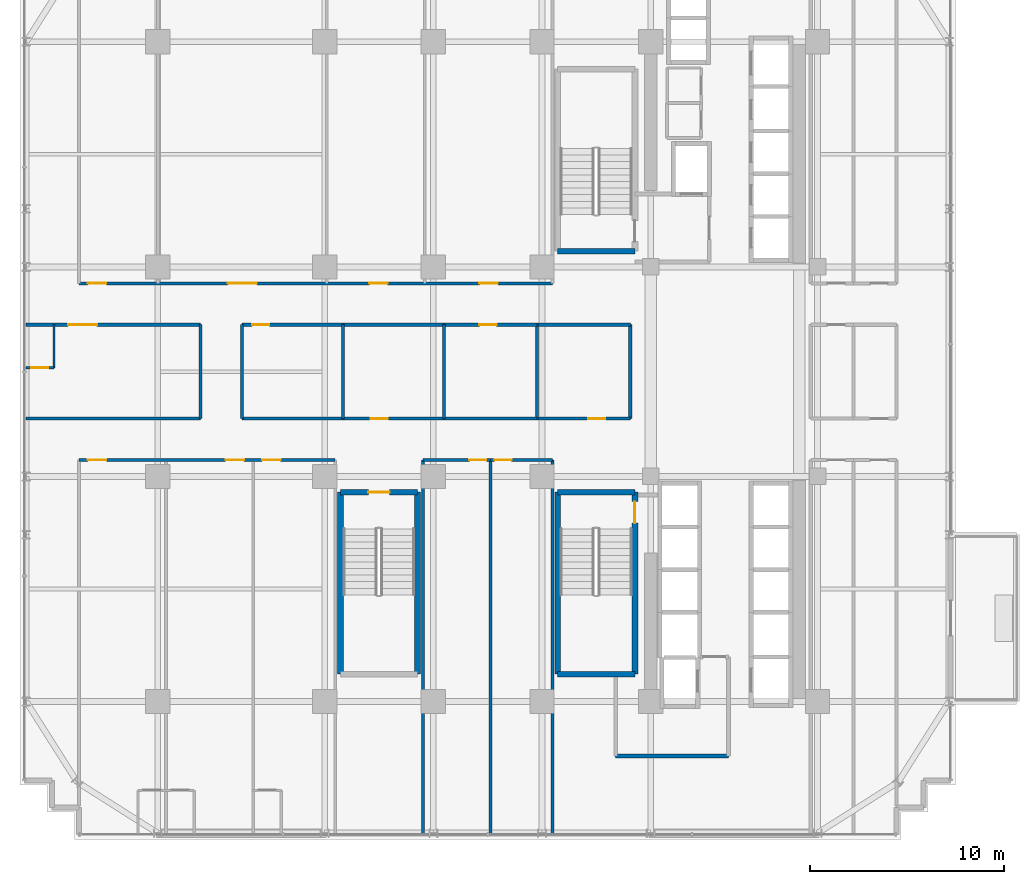
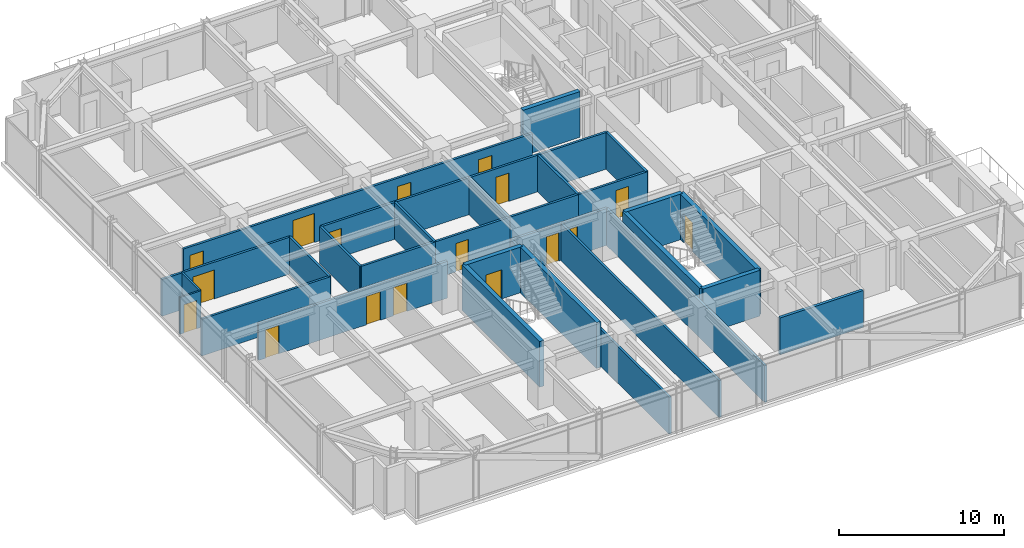
# One storey, part 27 of 34: 34 walls, 17 doors, 17 openings.
"""IFC4 building model written with IfcOpenShell, lengths in metres."""

from ifc_helpers import new_model, si_unit, direction, frame, frame_2d, origin, place, context, subcontext, project, spatial, rectangle, extrude, source, transform, mapped, material, layer, layer_set, type_object, element, fill, save


model = new_model("IFC4")

# Units and contexts
model_context = context("Model", 3, precision=1e-05, world=origin(), true_north=direction((0.0, 1.0)))
body_context = subcontext(model_context, "Body", "Model", "MODEL_VIEW")
ifc_project = project(units=[si_unit("LENGTHUNIT", "METRE"), si_unit("AREAUNIT", "SQUARE_METRE"), si_unit("VOLUMEUNIT", "CUBIC_METRE"), si_unit("PLANEANGLEUNIT", "RADIAN"), si_unit("MASSUNIT", "GRAM", prefix="KILO")], contexts=[model_context])

# Site, building, storey
site_placement = place(None, origin())
site = spatial("IfcSite", under=ifc_project, at=site_placement, CompositionType="ELEMENT")
building_placement = place(site_placement, origin())
building = spatial("IfcBuilding", under=site, at=building_placement, Name="Nahalor Promenade Grand Hotel", CompositionType="ELEMENT")
storey_placement = place(building_placement, frame((0.0, 0.0, 128.449951171875)))
storey = spatial("IfcBuildingStorey", under=building, at=storey_placement, Name="L32", CompositionType="ELEMENT", Elevation=128.449951171875)

# Walls
ifc_material_1 = material(Name="Concrete B-50 (C40/50)", Category="concrete")
ifc_layer_1 = layer(ifc_material_1, 0.300048828125)
ifc_layer_set_1 = layer_set([ifc_layer_1], Name="Concrete B-50 (C40/50)")
wall_type_1 = type_object("IfcWallType", Name="Wall-ShaftShear-300", PredefinedType="SHEAR", material=ifc_layer_set_1)
shared_shape_1 = source(origin(), body_context, "Body", "SweptSolid", [
    extrude(rectangle(XDim=3.97998046875, YDim=0.300048828125, at=frame_2d((1.989990234375, 0.0))), origin(), (0.0, 0.0, 1.0), 3.380126953125),
])
for number, where, z_axis, x_axis, name in (
    (1, (3.610107421875, 6.2099609375, 0.0), (0.0, 0.0, 1.0), (1.0, 0.0, 0.0), "L32 Exit Stair ST1 Shaft Wall S"),
    (2, (3.610107421875, -15.590087890625, 0.0), (0.0, 0.0, 1.0), (1.0, 0.0, 0.0), "L32 Exit Stair ST2 Shaft Wall S"),
    (3, (3.610107421875, -6.2099609375, 0.0), (0.0, 0.0, 1.0), (1.0, 0.0, 0.0), "L32 Exit Stair ST2 Shaft Wall N"),
):
    element("IfcWall", number, at=place(storey_placement, frame(where, z_axis=z_axis, x_axis=x_axis)), inside=storey, type_object=wall_type_1, Name=name, PredefinedType="SHEAR", context=body_context, shape_type="MappedRepresentation", body=[
        mapped(shared_shape_1, transform((0.0, 0.0, 0.0), scale=1.0)),
    ])

# Wall, opening, door
wall_1_placement = place(storey_placement, frame((-7.590087890625, -6.2099609375, 0.0), z_axis=(0.0, 0.0, 1.0), x_axis=(1.0, 0.0, 0.0)))
wall_1 = element("IfcWall", 4, at=wall_1_placement, inside=storey, type_object=wall_type_1, Name="L32 Exit Stair ST3 Shaft Wall N", PredefinedType="SHEAR", context=body_context, shape_type="MappedRepresentation", body=[
    mapped(shared_shape_1, transform((0.0, 0.0, 0.0), scale=1.0)),
])
opening_1_placement = place(wall_1_placement, frame((1.43994140625, 0.0, 0.0)))
opening_1 = element("IfcOpeningElement", 5, at=opening_1_placement, cuts=wall_1, Name="Opening D-ST1", PredefinedType="OPENING", context=body_context, shape_type="SweptSolid", body=[
    extrude(rectangle(XDim=1.10009765625, YDim=2.14990234375, at=frame_2d((0.550048828125, 1.074951171875))), frame((0.0, 0.159912109375, 0.0), z_axis=(0.0, -1.0, 0.0), x_axis=(1.0, 0.0, 0.0)), (0.0, 0.0, 1.0), 0.320068359375),
])
ifc_material_2 = material(Name="Steel S355JR", Category="steel")
door_type_1 = type_object("IfcDoorType", Name="Door-StairFire-1100", OperationType="NOTDEFINED", PredefinedType="DOOR", material=ifc_material_2)
shared_shape_2 = source(origin(), body_context, "Body", "SweptSolid", [
    extrude(rectangle(XDim=1.10009765625, YDim=2.14990234375, at=frame_2d((0.550048828125, 1.074951171875))), frame((0.0, 0.02490234375, 0.0), z_axis=(0.0, -1.0, 0.0), x_axis=(1.0, 0.0, 0.0)), (0.0, 0.0, 1.0), 0.050048828125),
])
door_1_placement = place(opening_1_placement, frame((1.10009765625, 0.0, 0.0), z_axis=(0.0, 0.0, 1.0), x_axis=(-1.0, 0.0, 0.0)))
door_1 = element("IfcDoor", 6, at=door_1_placement, inside=storey, type_object=door_type_1, Name="DR-STAIR-ST3-L32", OperationType="SINGLE_SWING_LEFT", OverallHeight=2.14990234375, OverallWidth=1.10009765625, PredefinedType="DOOR", context=body_context, shape_type="MappedRepresentation", body=[
    mapped(shared_shape_2, transform((0.0, 0.0, 0.0), scale=1.0)),
])
fill(opening_1, door_1)

# Wall
shared_shape_3 = source(origin(), body_context, "Body", "SweptSolid", [
    extrude(rectangle(XDim=9.380126953125, YDim=0.300048828125, at=frame_2d((4.68994140625, 0.0))), origin(), (0.0, 0.0, 1.0), 3.380126953125),
])
wall_2_placement = place(storey_placement, frame((3.610107421875, -15.590087890625, 0.0), z_axis=(0.0, 0.0, 1.0), x_axis=(0.0, 1.0, 0.0)))
element("IfcWall", 7, at=wall_2_placement, inside=storey, type_object=wall_type_1, Name="L32 Exit Stair ST2 Shaft Wall W", PredefinedType="SHEAR", context=body_context, shape_type="MappedRepresentation", body=[
    mapped(shared_shape_3, transform((0.0, 0.0, 0.0), scale=1.0)),
])

# Wall, opening, door
wall_3_placement = place(storey_placement, frame((7.590087890625, -15.590087890625, 0.0), z_axis=(0.0, 0.0, 1.0), x_axis=(0.0, 1.0, 0.0)))
wall_3 = element("IfcWall", 8, at=wall_3_placement, inside=storey, type_object=wall_type_1, Name="L32 Exit Stair ST2 Shaft Wall E", PredefinedType="SHEAR", context=body_context, shape_type="MappedRepresentation", body=[
    mapped(shared_shape_3, transform((0.0, 0.0, 0.0), scale=1.0)),
])
opening_2_placement = place(wall_3_placement, frame((7.7900390625, 0.0, 0.0)))
opening_2 = element("IfcOpeningElement", 9, at=opening_2_placement, cuts=wall_3, Name="Opening D-ST1", PredefinedType="OPENING", context=body_context, shape_type="SweptSolid", body=[
    extrude(rectangle(XDim=1.10009765625, YDim=2.14990234375, at=frame_2d((0.550048828125, 1.074951171875))), frame((0.0, 0.159912109375, 0.0), z_axis=(0.0, -1.0, 0.0), x_axis=(1.0, 0.0, 0.0)), (0.0, 0.0, 1.0), 0.320068359375),
])
door_2_placement = place(opening_2_placement, origin())
door_2 = element("IfcDoor", 10, at=door_2_placement, inside=storey, type_object=door_type_1, Name="DR-STAIR-ST2-L32", OperationType="SINGLE_SWING_LEFT", OverallHeight=2.14990234375, OverallWidth=1.10009765625, PredefinedType="DOOR", context=body_context, shape_type="MappedRepresentation", body=[
    mapped(shared_shape_2, transform((0.0, 0.0, 0.0), scale=1.0)),
])
fill(opening_2, door_2)

# Walls
for number, where, z_axis, x_axis, name in (
    (11, (-7.590087890625, -15.590087890625, 0.0), (0.0, 0.0, 1.0), (0.0, 1.0, 0.0), "L32 Exit Stair ST3 Shaft Wall W"),
    (12, (-3.610107421875, -15.590087890625, 0.0), (0.0, 0.0, 1.0), (0.0, 1.0, 0.0), "L32 Exit Stair ST3 Shaft Wall E"),
):
    element("IfcWall", number, at=place(storey_placement, frame(where, z_axis=z_axis, x_axis=x_axis)), inside=storey, type_object=wall_type_1, Name=name, PredefinedType="SHEAR", context=body_context, shape_type="MappedRepresentation", body=[
        mapped(shared_shape_3, transform((0.0, 0.0, 0.0), scale=1.0)),
    ])
ifc_material_3 = material(Name="Concrete B-40 (C32/40)", Category="concrete")
ifc_layer_2 = layer(ifc_material_3, 0.199951171875)
ifc_layer_set_2 = layer_set([ifc_layer_2], Name="Concrete B-40 (C32/40)")
wall_type_2 = type_object("IfcWallType", Name="Wall-PartFire-200", PredefinedType="PARTITIONING", material=ifc_layer_set_2)
shared_shape_4 = source(origin(), body_context, "Body", "SweptSolid", [
    extrude(rectangle(XDim=5.81982421875, YDim=0.199951171875, at=frame_2d((2.909912109375, 0.0))), origin(), (0.0, 0.0, 1.0), 2.719970703125),
])
wall_4_placement = place(storey_placement, frame((6.60009765625, -19.800048828125, 0.0), z_axis=(0.0, 0.0, 1.0), x_axis=(1.0, 0.0, 0.0)))
element("IfcWall", 13, at=wall_4_placement, inside=storey, type_object=wall_type_2, Name="W-L32-FF2-S1", PredefinedType="PARTITIONING", context=body_context, shape_type="MappedRepresentation", body=[
    mapped(shared_shape_4, transform((0.0, 0.0, 0.0), scale=1.0)),
])
ifc_material_4 = material(Name="Acoustic Mineral Gypsum", Category="gypsum")
ifc_layer_3 = layer(ifc_material_4, 0.159912109375)
ifc_layer_set_3 = layer_set([ifc_layer_3], Name="Acoustic Mineral Gypsum")
wall_type_3 = type_object("IfcWallType", Name="Wall-PartCorridor-160", PredefinedType="PARTITIONING", material=ifc_layer_set_3)
shared_shape_5 = source(origin(), body_context, "Body", "SweptSolid", [
    extrude(rectangle(XDim=19.25, YDim=0.159912109375, at=frame_2d((9.625, 0.0))), origin(), (0.0, 0.0, 1.0), 2.719970703125),
])
for number, where, z_axis, x_axis, name in (
    (14, (-3.340087890625, -23.800048828125, 0.0), (0.0, 0.0, 1.0), (0.0, 1.0, 0.0), "W-L32-SCB1-W"),
    (15, (0.14990234375, -23.800048828125, 0.0), (0.0, 0.0, 1.0), (0.0, 1.0, 0.0), "W-L32-SCB1-E"),
    (16, (3.340087890625, -23.800048828125, 0.0), (0.0, 0.0, 1.0), (0.0, 1.0, 0.0), "W-L32-SCB2-E"),
):
    element("IfcWall", number, at=place(storey_placement, frame(where, z_axis=z_axis, x_axis=x_axis)), inside=storey, type_object=wall_type_3, Name=name, PredefinedType="PARTITIONING", context=body_context, shape_type="MappedRepresentation", body=[
        mapped(shared_shape_5, transform((0.0, 0.0, 0.0), scale=1.0)),
    ])

# Wall, openings, doors
shared_shape_6 = source(origin(), body_context, "Body", "SweptSolid", [
    extrude(rectangle(XDim=24.400146484375, YDim=0.159912109375, at=frame_2d((12.2001953125, 0.0))), origin(), (0.0, 0.0, 1.0), 2.719970703125),
])
wall_5_placement = place(storey_placement, frame((-21.06005859375, 4.550048828125, 0.0), z_axis=(0.0, 0.0, 1.0), x_axis=(1.0, 0.0, 0.0)))
wall_5 = element("IfcWall", 17, at=wall_5_placement, inside=storey, type_object=wall_type_3, Name="W-L32-CORR-N", PredefinedType="PARTITIONING", context=body_context, shape_type="MappedRepresentation", body=[
    mapped(shared_shape_6, transform((0.0, 0.0, 0.0), scale=1.0)),
])
opening_3_placement = place(wall_5_placement, frame((0.455078125, 0.0, 0.0)))
opening_3 = element("IfcOpeningElement", 18, at=opening_3_placement, cuts=wall_5, Name="Opening D-01", PredefinedType="OPENING", context=body_context, shape_type="SweptSolid", body=[
    extrude(rectangle(XDim=0.949951171875, YDim=2.10009765625, at=frame_2d((0.47509765625, 1.050048828125))), frame((0.0, 0.08984375, 0.0), z_axis=(0.0, -1.0, 0.0), x_axis=(1.0, 0.0, 0.0)), (0.0, 0.0, 1.0), 0.179931640625),
])
opening_4_placement = place(wall_5_placement, frame((7.66796875, 0.0, 0.0)))
opening_4 = element("IfcOpeningElement", 19, at=opening_4_placement, cuts=wall_5, Name="Opening D-02", PredefinedType="OPENING", context=body_context, shape_type="SweptSolid", body=[
    extrude(rectangle(XDim=1.5, YDim=2.14990234375, at=frame_2d((0.75, 1.074951171875))), frame((0.0, 0.08984375, 0.0), z_axis=(0.0, -1.0, 0.0), x_axis=(1.0, 0.0, 0.0)), (0.0, 0.0, 1.0), 0.179931640625),
])
opening_5_placement = place(wall_5_placement, frame((14.9580078125, 0.0, 0.0)))
opening_5 = element("IfcOpeningElement", 20, at=opening_5_placement, cuts=wall_5, Name="Opening D-01", PredefinedType="OPENING", context=body_context, shape_type="SweptSolid", body=[
    extrude(rectangle(XDim=0.949951171875, YDim=2.10009765625, at=frame_2d((0.47509765625, 1.050048828125))), frame((0.0, 0.08984375, 0.0), z_axis=(0.0, -1.0, 0.0), x_axis=(1.0, 0.0, 0.0)), (0.0, 0.0, 1.0), 0.179931640625),
])
opening_6_placement = place(wall_5_placement, frame((20.631103515625, 0.0, 0.0)))
opening_6 = element("IfcOpeningElement", 21, at=opening_6_placement, cuts=wall_5, Name="Opening D-01", PredefinedType="OPENING", context=body_context, shape_type="SweptSolid", body=[
    extrude(rectangle(XDim=0.949951171875, YDim=2.10009765625, at=frame_2d((0.47509765625, 1.050048828125))), frame((0.0, 0.08984375, 0.0), z_axis=(0.0, -1.0, 0.0), x_axis=(1.0, 0.0, 0.0)), (0.0, 0.0, 1.0), 0.179931640625),
])
ifc_material_5 = material(Name="Fire-Rated Timber Composite", Category="wood")
door_type_2 = type_object("IfcDoorType", Name="Door-SuiteDouble-1500", OperationType="DOUBLE_DOOR_SINGLE_SWING", PredefinedType="DOOR", material=ifc_material_5)
shared_shape_7 = source(origin(), body_context, "Body", "SweptSolid", [
    extrude(rectangle(XDim=1.5, YDim=2.14990234375, at=frame_2d((0.75, 1.074951171875))), frame((0.0, 0.02490234375, 0.0), z_axis=(0.0, -1.0, 0.0), x_axis=(1.0, 0.0, 0.0)), (0.0, 0.0, 1.0), 0.050048828125),
])
door_3_placement = place(opening_4_placement, origin())
door_3 = element("IfcDoor", 22, at=door_3_placement, inside=storey, type_object=door_type_2, Name="DR-L32-N2-ENT", OperationType="DOUBLE_DOOR_SINGLE_SWING", OverallHeight=2.14990234375, OverallWidth=1.5, PredefinedType="DOOR", context=body_context, shape_type="MappedRepresentation", body=[
    mapped(shared_shape_7, transform((0.0, 0.0, 0.0), scale=1.0)),
])
fill(opening_4, door_3)
door_type_3 = type_object("IfcDoorType", Name="Door-GuestEntry-950", OperationType="NOTDEFINED", PredefinedType="DOOR", material=ifc_material_5)
shared_shape_8 = source(origin(), body_context, "Body", "SweptSolid", [
    extrude(rectangle(XDim=0.949951171875, YDim=2.10009765625, at=frame_2d((0.47509765625, 1.050048828125))), frame((0.0, 0.02490234375, 0.0), z_axis=(0.0, -1.0, 0.0), x_axis=(1.0, 0.0, 0.0)), (0.0, 0.0, 1.0), 0.050048828125),
])
door_4_placement = place(opening_3_placement, origin())
door_4 = element("IfcDoor", 23, at=door_4_placement, inside=storey, type_object=door_type_3, Name="DR-L32-N1-ENT", OperationType="SINGLE_SWING_LEFT", OverallHeight=2.10009765625, OverallWidth=0.949951171875, PredefinedType="DOOR", context=body_context, shape_type="MappedRepresentation", body=[
    mapped(shared_shape_8, transform((0.0, 0.0, 0.0), scale=1.0)),
])
fill(opening_3, door_4)
door_5_placement = place(opening_5_placement, origin())
door_5 = element("IfcDoor", 24, at=door_5_placement, inside=storey, type_object=door_type_3, Name="DR-L32-N3-ENT", OperationType="SINGLE_SWING_RIGHT", OverallHeight=2.10009765625, OverallWidth=0.949951171875, PredefinedType="DOOR", context=body_context, shape_type="MappedRepresentation", body=[
    mapped(shared_shape_8, transform((0.0, 0.0, 0.0), scale=1.0)),
])
fill(opening_5, door_5)
door_6_placement = place(opening_6_placement, origin())
door_6 = element("IfcDoor", 25, at=door_6_placement, inside=storey, type_object=door_type_3, Name="DR-L32-N4-ENT", OperationType="SINGLE_SWING_RIGHT", OverallHeight=2.10009765625, OverallWidth=0.949951171875, PredefinedType="DOOR", context=body_context, shape_type="MappedRepresentation", body=[
    mapped(shared_shape_8, transform((0.0, 0.0, 0.0), scale=1.0)),
])
fill(opening_6, door_6)

# Wall
ifc_layer_4 = layer(ifc_material_4, 0.1201171875)
ifc_layer_set_4 = layer_set([ifc_layer_4], Name="Acoustic Mineral Gypsum")
wall_type_4 = type_object("IfcWallType", Name="Wall-PartBath-120", PredefinedType="PARTITIONING", material=ifc_layer_set_4)
shared_shape_9 = source(origin(), body_context, "Body", "SweptSolid", [
    extrude(rectangle(XDim=2.219970703125, YDim=0.1201171875, at=frame_2d((1.10986328125, 0.0))), origin(), (0.0, 0.0, 1.0), 2.719970703125),
])
wall_6_placement = place(storey_placement, frame((-22.35009765625, 0.199951171875, 0.0), z_axis=(0.0, 0.0, 1.0), x_axis=(0.0, 1.0, 0.0)))
element("IfcWall", 26, at=wall_6_placement, inside=storey, type_object=wall_type_4, Name="W-L32-W1-BV", PredefinedType="PARTITIONING", context=body_context, shape_type="MappedRepresentation", body=[
    mapped(shared_shape_9, transform((0.0, 0.0, 0.0), scale=1.0)),
])

# Wall, opening, door
shared_shape_10 = source(origin(), body_context, "Body", "SweptSolid", [
    extrude(rectangle(XDim=1.449951171875, YDim=0.1201171875, at=frame_2d((0.72509765625, 0.0))), origin(), (0.0, 0.0, 1.0), 2.719970703125),
])
wall_7_placement = place(storey_placement, frame((-23.800048828125, 0.199951171875, 0.0), z_axis=(0.0, 0.0, 1.0), x_axis=(1.0, 0.0, 0.0)))
wall_7 = element("IfcWall", 27, at=wall_7_placement, inside=storey, type_object=wall_type_4, Name="W-L32-W1-BH", PredefinedType="PARTITIONING", context=body_context, shape_type="MappedRepresentation", body=[
    mapped(shared_shape_10, transform((0.0, 0.0, 0.0), scale=1.0)),
])
opening_7_placement = place(wall_7_placement, frame((0.284912109375, 0.0, 0.0)))
opening_7 = element("IfcOpeningElement", 28, at=opening_7_placement, cuts=wall_7, Name="Opening D-03", PredefinedType="OPENING", context=body_context, shape_type="SweptSolid", body=[
    extrude(rectangle(XDim=0.8798828125, YDim=2.10009765625, at=frame_2d((0.43994140625, 1.050048828125))), frame((0.0, 0.070068359375, 0.0), z_axis=(0.0, -1.0, 0.0), x_axis=(1.0, 0.0, 0.0)), (0.0, 0.0, 1.0), 0.14013671875),
])
door_type_4 = type_object("IfcDoorType", Name="Door-BathSwing-880", OperationType="NOTDEFINED", PredefinedType="DOOR", material=ifc_material_5)
shared_shape_11 = source(origin(), body_context, "Body", "SweptSolid", [
    extrude(rectangle(XDim=0.8798828125, YDim=2.10009765625, at=frame_2d((0.43994140625, 1.050048828125))), frame((0.0, 0.02490234375, 0.0), z_axis=(0.0, -1.0, 0.0), x_axis=(1.0, 0.0, 0.0)), (0.0, 0.0, 1.0), 0.050048828125),
])
door_7_placement = place(opening_7_placement, origin())
door_7 = element("IfcDoor", 29, at=door_7_placement, inside=storey, type_object=door_type_4, Name="DR-L32-W1-BATH", OperationType="SINGLE_SWING_LEFT", OverallHeight=2.10009765625, OverallWidth=0.8798828125, PredefinedType="DOOR", context=body_context, shape_type="MappedRepresentation", body=[
    mapped(shared_shape_11, transform((0.0, 0.0, 0.0), scale=1.0)),
])
fill(opening_7, door_7)

# Wall, openings, doors
shared_shape_12 = source(origin(), body_context, "Body", "SweptSolid", [
    extrude(rectangle(XDim=13.199951171875, YDim=0.159912109375, at=frame_2d((6.60009765625, 0.0))), origin(), (0.0, 0.0, 1.0), 2.719970703125),
])
wall_8_placement = place(storey_placement, frame((-21.06005859375, -4.550048828125, 0.0), z_axis=(0.0, 0.0, 1.0), x_axis=(1.0, 0.0, 0.0)))
wall_8 = element("IfcWall", 30, at=wall_8_placement, inside=storey, type_object=wall_type_3, Name="W-L32-CORR-S", PredefinedType="PARTITIONING", context=body_context, shape_type="MappedRepresentation", body=[
    mapped(shared_shape_12, transform((0.0, 0.0, 0.0), scale=1.0)),
])
opening_8_placement = place(wall_8_placement, frame((0.464111328125, 0.0, 0.0)))
opening_8 = element("IfcOpeningElement", 31, at=opening_8_placement, cuts=wall_8, Name="Opening D-01", PredefinedType="OPENING", context=body_context, shape_type="SweptSolid", body=[
    extrude(rectangle(XDim=0.949951171875, YDim=2.10009765625, at=frame_2d((0.47509765625, 1.050048828125))), frame((0.0, 0.08984375, 0.0), z_axis=(0.0, -1.0, 0.0), x_axis=(1.0, 0.0, 0.0)), (0.0, 0.0, 1.0), 0.179931640625),
])
opening_9_placement = place(wall_8_placement, frame((7.56201171875, 0.0, 0.0)))
opening_9 = element("IfcOpeningElement", 32, at=opening_9_placement, cuts=wall_8, Name="Opening D-01", PredefinedType="OPENING", context=body_context, shape_type="SweptSolid", body=[
    extrude(rectangle(XDim=0.949951171875, YDim=2.10009765625, at=frame_2d((0.47509765625, 1.050048828125))), frame((0.0, 0.08984375, 0.0), z_axis=(0.0, -1.0, 0.0), x_axis=(1.0, 0.0, 0.0)), (0.0, 0.0, 1.0), 0.179931640625),
])
opening_10_placement = place(wall_8_placement, frame((9.43505859375, 0.0, 0.0)))
opening_10 = element("IfcOpeningElement", 33, at=opening_10_placement, cuts=wall_8, Name="Opening D-01", PredefinedType="OPENING", context=body_context, shape_type="SweptSolid", body=[
    extrude(rectangle(XDim=0.949951171875, YDim=2.10009765625, at=frame_2d((0.47509765625, 1.050048828125))), frame((0.0, 0.08984375, 0.0), z_axis=(0.0, -1.0, 0.0), x_axis=(1.0, 0.0, 0.0)), (0.0, 0.0, 1.0), 0.179931640625),
])
door_8_placement = place(opening_8_placement, frame((0.949951171875, 0.0, 0.0), z_axis=(0.0, 0.0, 1.0), x_axis=(-1.0, 0.0, 0.0)))
door_8 = element("IfcDoor", 34, at=door_8_placement, inside=storey, type_object=door_type_3, Name="DR-L32-S1-ENT", OperationType="SINGLE_SWING_RIGHT", OverallHeight=2.10009765625, OverallWidth=0.949951171875, PredefinedType="DOOR", context=body_context, shape_type="MappedRepresentation", body=[
    mapped(shared_shape_8, transform((0.0, 0.0, 0.0), scale=1.0)),
])
fill(opening_8, door_8)
door_9_placement = place(opening_9_placement, frame((0.949951171875, 0.0, 0.0), z_axis=(0.0, 0.0, 1.0), x_axis=(-1.0, 0.0, 0.0)))
door_9 = element("IfcDoor", 35, at=door_9_placement, inside=storey, type_object=door_type_3, Name="DR-L32-S2-ENT", OperationType="SINGLE_SWING_RIGHT", OverallHeight=2.10009765625, OverallWidth=0.949951171875, PredefinedType="DOOR", context=body_context, shape_type="MappedRepresentation", body=[
    mapped(shared_shape_8, transform((0.0, 0.0, 0.0), scale=1.0)),
])
fill(opening_9, door_9)
door_10_placement = place(opening_10_placement, frame((0.949951171875, 0.0, 0.0), z_axis=(0.0, 0.0, 1.0), x_axis=(-1.0, 0.0, 0.0)))
door_10 = element("IfcDoor", 36, at=door_10_placement, inside=storey, type_object=door_type_3, Name="DR-L32-S3-ENT", OperationType="SINGLE_SWING_RIGHT", OverallHeight=2.10009765625, OverallWidth=0.949951171875, PredefinedType="DOOR", context=body_context, shape_type="MappedRepresentation", body=[
    mapped(shared_shape_8, transform((0.0, 0.0, 0.0), scale=1.0)),
])
fill(opening_10, door_10)

# Wall, opening, door
shared_shape_13 = source(origin(), body_context, "Body", "SweptSolid", [
    extrude(rectangle(XDim=9.0, YDim=0.159912109375, at=frame_2d((4.5, 0.0))), origin(), (0.0, 0.0, 1.0), 2.719970703125),
])
wall_9_placement = place(storey_placement, frame((-23.800048828125, 2.419921875, 0.0), z_axis=(0.0, 0.0, 1.0), x_axis=(1.0, 0.0, 0.0)))
wall_9 = element("IfcWall", 37, at=wall_9_placement, inside=storey, type_object=wall_type_3, Name="W-L32-WEST-N", PredefinedType="PARTITIONING", context=body_context, shape_type="MappedRepresentation", body=[
    mapped(shared_shape_13, transform((0.0, 0.0, 0.0), scale=1.0)),
])
opening_11_placement = place(wall_9_placement, frame((2.176025390625, 0.0, 0.0)))
opening_11 = element("IfcOpeningElement", 38, at=opening_11_placement, cuts=wall_9, Name="Opening D-02", PredefinedType="OPENING", context=body_context, shape_type="SweptSolid", body=[
    extrude(rectangle(XDim=1.5, YDim=2.14990234375, at=frame_2d((0.75, 1.074951171875))), frame((0.0, 0.08984375, 0.0), z_axis=(0.0, -1.0, 0.0), x_axis=(1.0, 0.0, 0.0)), (0.0, 0.0, 1.0), 0.179931640625),
])
door_11_placement = place(opening_11_placement, origin())
door_11 = element("IfcDoor", 39, at=door_11_placement, inside=storey, type_object=door_type_2, Name="DR-L32-W1-ENT", OperationType="DOUBLE_DOOR_SINGLE_SWING", OverallHeight=2.14990234375, OverallWidth=1.5, PredefinedType="DOOR", context=body_context, shape_type="MappedRepresentation", body=[
    mapped(shared_shape_7, transform((0.0, 0.0, 0.0), scale=1.0)),
])
fill(opening_11, door_11)

# Walls
wall_10_placement = place(storey_placement, frame((-23.800048828125, -2.419921875, 0.0), z_axis=(0.0, 0.0, 1.0), x_axis=(1.0, 0.0, 0.0)))
element("IfcWall", 40, at=wall_10_placement, inside=storey, type_object=wall_type_3, Name="W-L32-WEST-S", PredefinedType="PARTITIONING", context=body_context, shape_type="MappedRepresentation", body=[
    mapped(shared_shape_13, transform((0.0, 0.0, 0.0), scale=1.0)),
])
shared_shape_14 = source(origin(), body_context, "Body", "SweptSolid", [
    extrude(rectangle(XDim=4.83984375, YDim=0.159912109375, at=frame_2d((2.419921875, 0.0))), origin(), (0.0, 0.0, 1.0), 2.719970703125),
])
for number, where, z_axis, x_axis, name in (
    (41, (-14.800048828125, -2.419921875, 0.0), (0.0, 0.0, 1.0), (0.0, 1.0, 0.0), "W-L32-WEST-E"),
    (42, (-12.64990234375, -2.419921875, 0.0), (0.0, 0.0, 1.0), (0.0, 1.0, 0.0), "W-L32-CM1-W"),
    (43, (-7.449951171875, -2.419921875, 0.0), (0.0, 0.0, 1.0), (0.0, 1.0, 0.0), "W-L32-CM1-E"),
    (44, (-2.25, -2.419921875, 0.0), (0.0, 0.0, 1.0), (0.0, 1.0, 0.0), "W-L32-CM2-E"),
    (45, (2.550048828125, -2.419921875, 0.0), (0.0, 0.0, 1.0), (0.0, 1.0, 0.0), "W-L32-CM3-E"),
    (46, (7.35009765625, -2.419921875, 0.0), (0.0, 0.0, 1.0), (0.0, 1.0, 0.0), "W-L32-CM4-E"),
):
    element("IfcWall", number, at=place(storey_placement, frame(where, z_axis=z_axis, x_axis=x_axis)), inside=storey, type_object=wall_type_3, Name=name, PredefinedType="PARTITIONING", context=body_context, shape_type="MappedRepresentation", body=[
        mapped(shared_shape_14, transform((0.0, 0.0, 0.0), scale=1.0)),
    ])

# Wall, opening, door
shared_shape_15 = source(origin(), body_context, "Body", "SweptSolid", [
    extrude(rectangle(XDim=3.489990234375, YDim=0.159912109375, at=frame_2d((1.7451171875, 0.0))), origin(), (0.0, 0.0, 1.0), 2.719970703125),
])
wall_11_placement = place(storey_placement, frame((-3.340087890625, -4.550048828125, 0.0), z_axis=(0.0, 0.0, 1.0), x_axis=(1.0, 0.0, 0.0)))
wall_11 = element("IfcWall", 47, at=wall_11_placement, inside=storey, type_object=wall_type_3, Name="W-L32-SCB1-N", PredefinedType="PARTITIONING", context=body_context, shape_type="MappedRepresentation", body=[
    mapped(shared_shape_15, transform((0.0, 0.0, 0.0), scale=1.0)),
])
opening_12_placement = place(wall_11_placement, frame((2.39990234375, 0.0, 0.0)))
opening_12 = element("IfcOpeningElement", 48, at=opening_12_placement, cuts=wall_11, Name="Opening D-03", PredefinedType="OPENING", context=body_context, shape_type="SweptSolid", body=[
    extrude(rectangle(XDim=0.8798828125, YDim=2.10009765625, at=frame_2d((0.43994140625, 1.050048828125))), frame((0.0, 0.08984375, 0.0), z_axis=(0.0, -1.0, 0.0), x_axis=(1.0, 0.0, 0.0)), (0.0, 0.0, 1.0), 0.179931640625),
])
door_12_placement = place(opening_12_placement, frame((0.8798828125, 0.0, 0.0), z_axis=(0.0, 0.0, 1.0), x_axis=(-1.0, 0.0, 0.0)))
door_12 = element("IfcDoor", 49, at=door_12_placement, inside=storey, type_object=door_type_4, Name="DR-L32-SCB1", OperationType="SINGLE_SWING_LEFT", OverallHeight=2.10009765625, OverallWidth=0.8798828125, PredefinedType="DOOR", context=body_context, shape_type="MappedRepresentation", body=[
    mapped(shared_shape_11, transform((0.0, 0.0, 0.0), scale=1.0)),
])
fill(opening_12, door_12)

shared_shape_16 = source(origin(), body_context, "Body", "SweptSolid", [
    extrude(rectangle(XDim=3.190185546875, YDim=0.159912109375, at=frame_2d((1.59521484375, 0.0))), origin(), (0.0, 0.0, 1.0), 2.719970703125),
])
wall_12_placement = place(storey_placement, frame((0.14990234375, -4.550048828125, 0.0), z_axis=(0.0, 0.0, 1.0), x_axis=(1.0, 0.0, 0.0)))
wall_12 = element("IfcWall", 50, at=wall_12_placement, inside=storey, type_object=wall_type_3, Name="W-L32-SCB2-N", PredefinedType="PARTITIONING", context=body_context, shape_type="MappedRepresentation", body=[
    mapped(shared_shape_16, transform((0.0, 0.0, 0.0), scale=1.0)),
])
opening_13_placement = place(wall_12_placement, frame((0.2099609375, 0.0, 0.0)))
opening_13 = element("IfcOpeningElement", 51, at=opening_13_placement, cuts=wall_12, Name="Opening D-03", PredefinedType="OPENING", context=body_context, shape_type="SweptSolid", body=[
    extrude(rectangle(XDim=0.8798828125, YDim=2.10009765625, at=frame_2d((0.43994140625, 1.050048828125))), frame((0.0, 0.08984375, 0.0), z_axis=(0.0, -1.0, 0.0), x_axis=(1.0, 0.0, 0.0)), (0.0, 0.0, 1.0), 0.179931640625),
])
door_13_placement = place(opening_13_placement, frame((0.8798828125, 0.0, 0.0), z_axis=(0.0, 0.0, 1.0), x_axis=(-1.0, 0.0, 0.0)))
door_13 = element("IfcDoor", 52, at=door_13_placement, inside=storey, type_object=door_type_4, Name="DR-L32-SCB2", OperationType="SINGLE_SWING_RIGHT", OverallHeight=2.10009765625, OverallWidth=0.8798828125, PredefinedType="DOOR", context=body_context, shape_type="MappedRepresentation", body=[
    mapped(shared_shape_11, transform((0.0, 0.0, 0.0), scale=1.0)),
])
fill(opening_13, door_13)

# Wall
shared_shape_17 = source(origin(), body_context, "Body", "SweptSolid", [
    extrude(rectangle(XDim=5.199951171875, YDim=0.159912109375, at=frame_2d((2.60009765625, 0.0))), origin(), (0.0, 0.0, 1.0), 2.719970703125),
])
wall_13_placement = place(storey_placement, frame((-12.64990234375, -2.419921875, 0.0), z_axis=(0.0, 0.0, 1.0), x_axis=(1.0, 0.0, 0.0)))
element("IfcWall", 53, at=wall_13_placement, inside=storey, type_object=wall_type_3, Name="W-L32-CM1-S", PredefinedType="PARTITIONING", context=body_context, shape_type="MappedRepresentation", body=[
    mapped(shared_shape_17, transform((0.0, 0.0, 0.0), scale=1.0)),
])

# Wall, opening, door
wall_14_placement = place(storey_placement, frame((-12.64990234375, 2.419921875, 0.0), z_axis=(0.0, 0.0, 1.0), x_axis=(1.0, 0.0, 0.0)))
wall_14 = element("IfcWall", 54, at=wall_14_placement, inside=storey, type_object=wall_type_3, Name="W-L32-CM1-N", PredefinedType="PARTITIONING", context=body_context, shape_type="MappedRepresentation", body=[
    mapped(shared_shape_17, transform((0.0, 0.0, 0.0), scale=1.0)),
])
opening_14_placement = place(wall_14_placement, frame((0.514892578125, 0.0, 0.0)))
opening_14 = element("IfcOpeningElement", 55, at=opening_14_placement, cuts=wall_14, Name="Opening D-03", PredefinedType="OPENING", context=body_context, shape_type="SweptSolid", body=[
    extrude(rectangle(XDim=0.8798828125, YDim=2.10009765625, at=frame_2d((0.43994140625, 1.050048828125))), frame((0.0, 0.08984375, 0.0), z_axis=(0.0, -1.0, 0.0), x_axis=(1.0, 0.0, 0.0)), (0.0, 0.0, 1.0), 0.179931640625),
])
door_14_placement = place(opening_14_placement, frame((0.8798828125, 0.0, 0.0), z_axis=(0.0, 0.0, 1.0), x_axis=(-1.0, 0.0, 0.0)))
door_14 = element("IfcDoor", 56, at=door_14_placement, inside=storey, type_object=door_type_4, Name="DR-L32-CM1", OperationType="SINGLE_SWING_RIGHT", OverallHeight=2.10009765625, OverallWidth=0.8798828125, PredefinedType="DOOR", context=body_context, shape_type="MappedRepresentation", body=[
    mapped(shared_shape_11, transform((0.0, 0.0, 0.0), scale=1.0)),
])
fill(opening_14, door_14)

wall_15_placement = place(storey_placement, frame((-7.449951171875, -2.419921875, 0.0), z_axis=(0.0, 0.0, 1.0), x_axis=(1.0, 0.0, 0.0)))
wall_15 = element("IfcWall", 57, at=wall_15_placement, inside=storey, type_object=wall_type_3, Name="W-L32-CM2-S", PredefinedType="PARTITIONING", context=body_context, shape_type="MappedRepresentation", body=[
    mapped(shared_shape_17, transform((0.0, 0.0, 0.0), scale=1.0)),
])
opening_15_placement = place(wall_15_placement, frame((1.412109375, 0.0, 0.0)))
opening_15 = element("IfcOpeningElement", 58, at=opening_15_placement, cuts=wall_15, Name="Opening D-03", PredefinedType="OPENING", context=body_context, shape_type="SweptSolid", body=[
    extrude(rectangle(XDim=0.8798828125, YDim=2.10009765625, at=frame_2d((0.43994140625, 1.050048828125))), frame((0.0, 0.08984375, 0.0), z_axis=(0.0, -1.0, 0.0), x_axis=(1.0, 0.0, 0.0)), (0.0, 0.0, 1.0), 0.179931640625),
])
door_15_placement = place(opening_15_placement, origin())
door_15 = element("IfcDoor", 59, at=door_15_placement, inside=storey, type_object=door_type_4, Name="DR-L32-CM2", OperationType="SINGLE_SWING_LEFT", OverallHeight=2.10009765625, OverallWidth=0.8798828125, PredefinedType="DOOR", context=body_context, shape_type="MappedRepresentation", body=[
    mapped(shared_shape_11, transform((0.0, 0.0, 0.0), scale=1.0)),
])
fill(opening_15, door_15)

# Walls
wall_16_placement = place(storey_placement, frame((-7.449951171875, 2.419921875, 0.0), z_axis=(0.0, 0.0, 1.0), x_axis=(1.0, 0.0, 0.0)))
element("IfcWall", 60, at=wall_16_placement, inside=storey, type_object=wall_type_3, Name="W-L32-CM2-N", PredefinedType="PARTITIONING", context=body_context, shape_type="MappedRepresentation", body=[
    mapped(shared_shape_17, transform((0.0, 0.0, 0.0), scale=1.0)),
])
shared_shape_18 = source(origin(), body_context, "Body", "SweptSolid", [
    extrude(rectangle(XDim=4.800048828125, YDim=0.159912109375, at=frame_2d((2.39990234375, 0.0))), origin(), (0.0, 0.0, 1.0), 2.719970703125),
])
wall_17_placement = place(storey_placement, frame((-2.25, -2.419921875, 0.0), z_axis=(0.0, 0.0, 1.0), x_axis=(1.0, 0.0, 0.0)))
element("IfcWall", 61, at=wall_17_placement, inside=storey, type_object=wall_type_3, Name="W-L32-CM3-S", PredefinedType="PARTITIONING", context=body_context, shape_type="MappedRepresentation", body=[
    mapped(shared_shape_18, transform((0.0, 0.0, 0.0), scale=1.0)),
])

# Wall, opening, door
wall_18_placement = place(storey_placement, frame((-2.25, 2.419921875, 0.0), z_axis=(0.0, 0.0, 1.0), x_axis=(1.0, 0.0, 0.0)))
wall_18 = element("IfcWall", 62, at=wall_18_placement, inside=storey, type_object=wall_type_3, Name="W-L32-CM3-N", PredefinedType="PARTITIONING", context=body_context, shape_type="MappedRepresentation", body=[
    mapped(shared_shape_18, transform((0.0, 0.0, 0.0), scale=1.0)),
])
opening_16_placement = place(wall_18_placement, frame((1.827880859375, 0.0, 0.0)))
opening_16 = element("IfcOpeningElement", 63, at=opening_16_placement, cuts=wall_18, Name="Opening D-03", PredefinedType="OPENING", context=body_context, shape_type="SweptSolid", body=[
    extrude(rectangle(XDim=0.8798828125, YDim=2.10009765625, at=frame_2d((0.43994140625, 1.050048828125))), frame((0.0, 0.08984375, 0.0), z_axis=(0.0, -1.0, 0.0), x_axis=(1.0, 0.0, 0.0)), (0.0, 0.0, 1.0), 0.179931640625),
])
door_16_placement = place(opening_16_placement, frame((0.8798828125, 0.0, 0.0), z_axis=(0.0, 0.0, 1.0), x_axis=(-1.0, 0.0, 0.0)))
door_16 = element("IfcDoor", 64, at=door_16_placement, inside=storey, type_object=door_type_4, Name="DR-L32-CM3", OperationType="SINGLE_SWING_RIGHT", OverallHeight=2.10009765625, OverallWidth=0.8798828125, PredefinedType="DOOR", context=body_context, shape_type="MappedRepresentation", body=[
    mapped(shared_shape_11, transform((0.0, 0.0, 0.0), scale=1.0)),
])
fill(opening_16, door_16)

wall_19_placement = place(storey_placement, frame((2.550048828125, -2.419921875, 0.0), z_axis=(0.0, 0.0, 1.0), x_axis=(1.0, 0.0, 0.0)))
wall_19 = element("IfcWall", 65, at=wall_19_placement, inside=storey, type_object=wall_type_3, Name="W-L32-CM4-S", PredefinedType="PARTITIONING", context=body_context, shape_type="MappedRepresentation", body=[
    mapped(shared_shape_18, transform((0.0, 0.0, 0.0), scale=1.0)),
])
opening_17_placement = place(wall_19_placement, frame((2.62109375, 0.0, 0.0)))
opening_17 = element("IfcOpeningElement", 66, at=opening_17_placement, cuts=wall_19, Name="Opening D-03", PredefinedType="OPENING", context=body_context, shape_type="SweptSolid", body=[
    extrude(rectangle(XDim=0.8798828125, YDim=2.10009765625, at=frame_2d((0.43994140625, 1.050048828125))), frame((0.0, 0.08984375, 0.0), z_axis=(0.0, -1.0, 0.0), x_axis=(1.0, 0.0, 0.0)), (0.0, 0.0, 1.0), 0.179931640625),
])
door_17_placement = place(opening_17_placement, origin())
door_17 = element("IfcDoor", 67, at=door_17_placement, inside=storey, type_object=door_type_4, Name="DR-L32-CM4", OperationType="SINGLE_SWING_LEFT", OverallHeight=2.10009765625, OverallWidth=0.8798828125, PredefinedType="DOOR", context=body_context, shape_type="MappedRepresentation", body=[
    mapped(shared_shape_11, transform((0.0, 0.0, 0.0), scale=1.0)),
])
fill(opening_17, door_17)

# Wall
wall_20_placement = place(storey_placement, frame((2.550048828125, 2.419921875, 0.0), z_axis=(0.0, 0.0, 1.0), x_axis=(1.0, 0.0, 0.0)))
element("IfcWall", 68, at=wall_20_placement, inside=storey, type_object=wall_type_3, Name="W-L32-CM4-N", PredefinedType="PARTITIONING", context=body_context, shape_type="MappedRepresentation", body=[
    mapped(shared_shape_18, transform((0.0, 0.0, 0.0), scale=1.0)),
])

save(model, "model.ifc")
